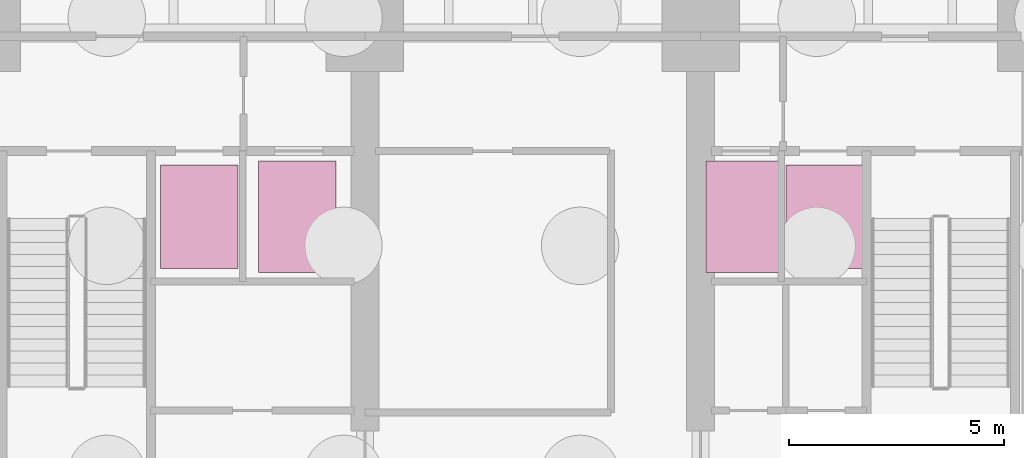
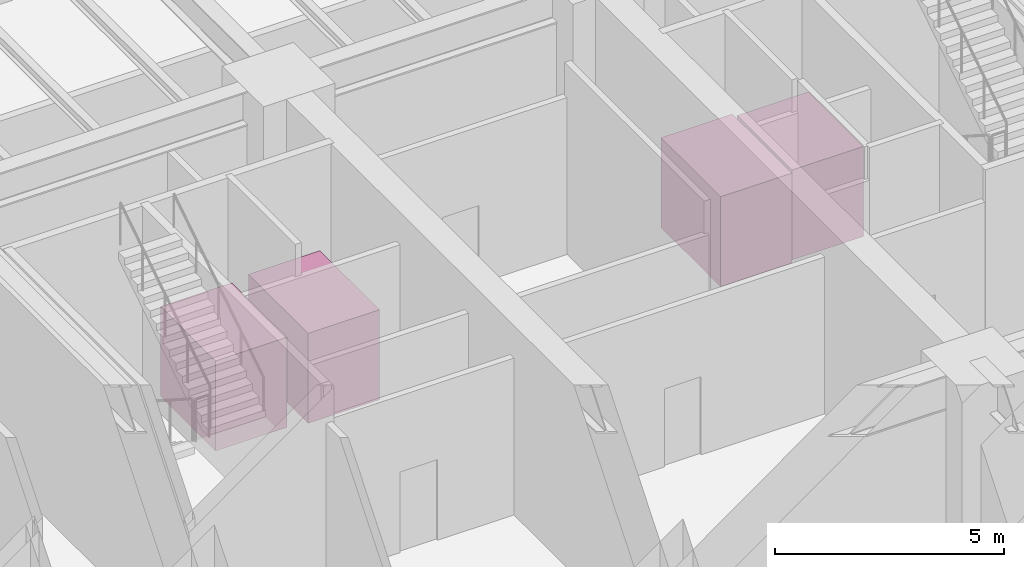
# One storey, part 12 of 12: 4 transport elements.
"""IFC4 building model written with IfcOpenShell, lengths in metres."""

from ifc_helpers import new_model, si_unit, direction, frame, origin, place, context, subcontext, project, spatial, polyline, outline, extrude, material, type_object, element, save


model = new_model("IFC4")

# Units and contexts
model_context = context("Model", 3, precision=1e-05, world=origin(), true_north=direction((0.0, 1.0)))
body_context = subcontext(model_context, "Body", "Model", "MODEL_VIEW")
ifc_project = project(units=[si_unit("LENGTHUNIT", "METRE"), si_unit("AREAUNIT", "SQUARE_METRE"), si_unit("VOLUMEUNIT", "CUBIC_METRE"), si_unit("PLANEANGLEUNIT", "RADIAN"), si_unit("MASSUNIT", "GRAM", prefix="KILO")], contexts=[model_context])

# Site, building, storey
site_placement = place(None, origin())
site = spatial("IfcSite", under=ifc_project, at=site_placement, CompositionType="ELEMENT")
building_placement = place(site_placement, origin())
building = spatial("IfcBuilding", under=site, at=building_placement, Name="Qalmaran Belvedere Hotel", CompositionType="ELEMENT")
storey_placement = place(building_placement, frame((0.0, 0.0, -5.39990234375)))
storey = spatial("IfcBuildingStorey", under=building, at=storey_placement, Name="B01", CompositionType="ELEMENT", Elevation=-5.39990234375)

# Transport elements
ifc_material = material(Name="Stainless Steel 1.4401", Category="steel")
transport_element_type_1 = type_object("IfcTransportElementType", Name="LFT-FSAE-1800X2400", PredefinedType="ELEVATOR", material=ifc_material)
transport_element_1_placement = place(storey_placement, origin())
element("IfcTransportElement", 1, at=transport_element_1_placement, inside=storey, type_object=transport_element_type_1, Name="Elevator FF1 (FSAE)", PredefinedType="ELEVATOR", context=body_context, shape_type="SweptSolid", body=[
    extrude(outline(polyline([(24.449951171875, 15.02490234375), (26.25, 15.02490234375), (26.25, 17.425048828125), (24.449951171875, 17.425048828125), (24.449951171875, 15.02490234375)])), origin(), (0.0, 0.0, 1.0), 2.39990234375),
])
transport_element_2_placement = place(storey_placement, origin())
element("IfcTransportElement", 2, at=transport_element_2_placement, inside=storey, type_object=transport_element_type_1, Name="Elevator FF2 (FSAE)", PredefinedType="ELEVATOR", context=body_context, shape_type="SweptSolid", body=[
    extrude(outline(polyline([(38.985107421875, 15.02490234375), (40.784912109375, 15.02490234375), (40.784912109375, 17.425048828125), (38.985107421875, 17.425048828125), (38.985107421875, 15.02490234375)])), origin(), (0.0, 0.0, 1.0), 2.39990234375),
])
transport_element_type_2 = type_object("IfcTransportElementType", Name="LFT-SERVICE-1800X2600", PredefinedType="ELEVATOR", material=ifc_material)
transport_element_3_placement = place(storey_placement, origin())
element("IfcTransportElement", 3, at=transport_element_3_placement, inside=storey, type_object=transport_element_type_2, Name="Elevator SV1 (SERVICE)", PredefinedType="ELEVATOR", context=body_context, shape_type="SweptSolid", body=[
    extrude(outline(polyline([(26.72509765625, 14.925048828125), (28.52490234375, 14.925048828125), (28.52490234375, 17.52490234375), (26.72509765625, 17.52490234375), (26.72509765625, 14.925048828125)])), origin(), (0.0, 0.0, 1.0), 2.39990234375),
])
transport_element_4_placement = place(storey_placement, origin())
element("IfcTransportElement", 4, at=transport_element_4_placement, inside=storey, type_object=transport_element_type_2, Name="Elevator SV2 (SERVICE)", PredefinedType="ELEVATOR", context=body_context, shape_type="SweptSolid", body=[
    extrude(outline(polyline([(37.125, 14.925048828125), (38.925048828125, 14.925048828125), (38.925048828125, 17.52490234375), (37.125, 17.52490234375), (37.125, 14.925048828125)])), origin(), (0.0, 0.0, 1.0), 2.39990234375),
])

save(model, "model.ifc")
